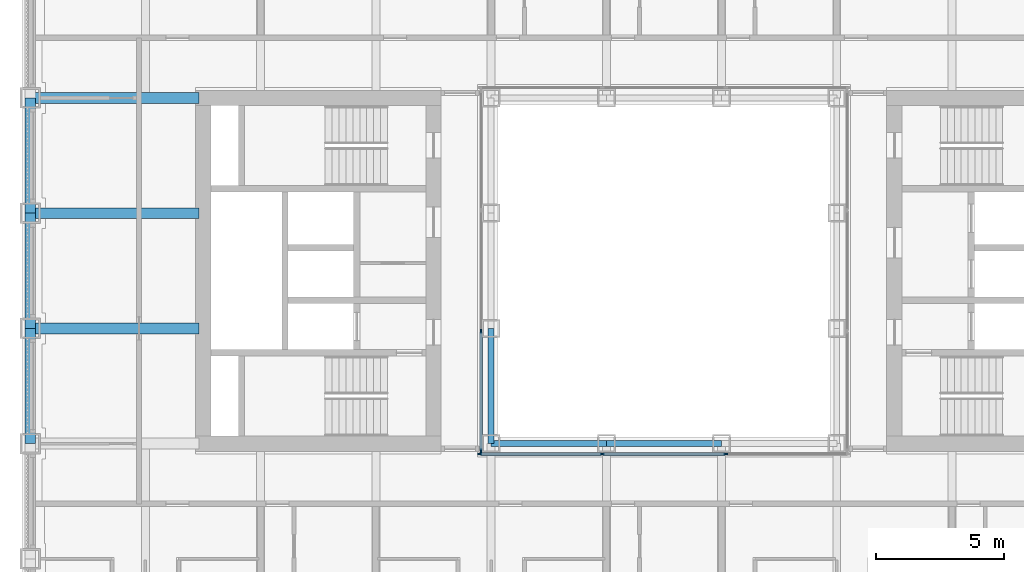
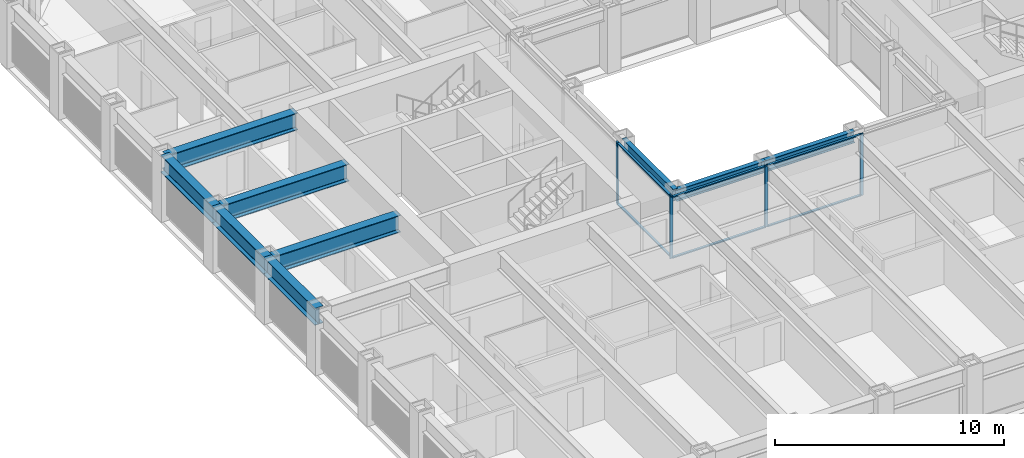
# One storey, part 3 of 21: 11 members, 9 beams, 2 elements without a shape of their own.
"""IFC4 building model written with IfcOpenShell, lengths in metres."""

from ifc_helpers import new_model, si_unit, direction, frame, origin, origin_2d, place, context, subcontext, project, spatial, rectangle, i_section, extrude, material, material_profile, profile_set, type_object, element, aggregate, save


model = new_model("IFC4")

# Units and contexts
model_context = context("Model", 3, precision=1e-05, world=origin(), true_north=direction((0.0, 1.0)))
body_context = subcontext(model_context, "Body", "Model", "MODEL_VIEW")
ifc_project = project(units=[si_unit("LENGTHUNIT", "METRE"), si_unit("AREAUNIT", "SQUARE_METRE"), si_unit("VOLUMEUNIT", "CUBIC_METRE"), si_unit("PLANEANGLEUNIT", "RADIAN"), si_unit("MASSUNIT", "GRAM", prefix="KILO")], contexts=[model_context])

# Site, building, storey
site_placement = place(None, origin())
site = spatial("IfcSite", under=ifc_project, at=site_placement, CompositionType="ELEMENT")
building_placement = place(site_placement, origin())
building = spatial("IfcBuilding", under=site, at=building_placement, Name="Msasa Ring Tower", CompositionType="ELEMENT")
storey_placement = place(building_placement, frame((0.0, 0.0, 40.5)))
storey = spatial("IfcBuildingStorey", under=building, at=storey_placement, Name="L09", CompositionType="ELEMENT", Elevation=40.5)

# Curtain wall, members
ifc_material_1 = material(Name="Aluminium curtain wall with clear glass", Category="aluminium")
curtain_wall_type = type_object("IfcCurtainWallType", Name="CW-W LIGHT WELL CURTAIN WALL", PredefinedType="NOTDEFINED", material=ifc_material_1)
curtain_wall_1_placement = place(storey_placement, origin())
curtain_wall_1 = element("IfcCurtainWall", 1, at=curtain_wall_1_placement, inside=storey, type_object=curtain_wall_type, Name="Light well curtain wall S L09", PredefinedType="NOTDEFINED")
ifc_material_2 = material(Name="Aluminium mullion", Category="aluminium")
ifc_material_profile_1 = material_profile(ifc_material_2, rectangle(XDim=0.06005859375, YDim=0.159912109375, at=origin_2d()), Name="AL 60x160")
ifc_profile_set_1 = profile_set([ifc_material_profile_1], Name="Aluminium mullion")
member_type_1 = type_object("IfcMemberType", Name="CW-W MULLION 60x160", PredefinedType="MULLION", material=ifc_profile_set_1)
member_1_placement = place(storey_placement, frame((-7.199951171875, -7.14990234375, 0.0), z_axis=(0.0, 0.0, 1.0), x_axis=(0.0, 1.0, 0.0)))
member_1 = element("IfcMember", 2, at=member_1_placement, type_object=member_type_1, Name="CW-W mullion 1", PredefinedType="MULLION", context=body_context, shape_type="SweptSolid", body=[
    extrude(rectangle(XDim=0.06005859375, YDim=0.159912109375, at=origin_2d()), origin(), (0.0, 0.0, 1.0), 3.300048828125),
])
member_2_placement = place(storey_placement, frame((-2.409912109375, -7.14990234375, 0.0), z_axis=(0.0, 0.0, 1.0), x_axis=(0.0, 1.0, 0.0)))
member_2 = element("IfcMember", 3, at=member_2_placement, type_object=member_type_1, Name="CW-W mullion 2", PredefinedType="MULLION", context=body_context, shape_type="SweptSolid", body=[
    extrude(rectangle(XDim=0.06005859375, YDim=0.159912109375, at=origin_2d()), origin(), (0.0, 0.0, 1.0), 3.300048828125),
])
member_3_placement = place(storey_placement, frame((2.409912109375, -7.14990234375, 0.0), z_axis=(0.0, 0.0, 1.0), x_axis=(0.0, 1.0, 0.0)))
member_3 = element("IfcMember", 4, at=member_3_placement, type_object=member_type_1, Name="CW-W mullion 3", PredefinedType="MULLION", context=body_context, shape_type="SweptSolid", body=[
    extrude(rectangle(XDim=0.06005859375, YDim=0.159912109375, at=origin_2d()), origin(), (0.0, 0.0, 1.0), 3.300048828125),
])

curtain_wall_2_placement = place(storey_placement, origin())
curtain_wall_2 = element("IfcCurtainWall", 5, at=curtain_wall_2_placement, inside=storey, type_object=curtain_wall_type, Name="Light well curtain wall W L09", PredefinedType="NOTDEFINED")
member_4_placement = place(storey_placement, frame((-7.14990234375, -7.0400390625, 0.0), z_axis=(0.0, 0.0, 1.0), x_axis=(-1.0, 0.0, 0.0)))
member_4 = element("IfcMember", 6, at=member_4_placement, type_object=member_type_1, Name="CW-W mullion 1", PredefinedType="MULLION", context=body_context, shape_type="SweptSolid", body=[
    extrude(rectangle(XDim=0.06005859375, YDim=0.159912109375, at=origin_2d()), origin(), (0.0, 0.0, 1.0), 3.300048828125),
])
member_5_placement = place(storey_placement, frame((-7.14990234375, -2.356689453125, 0.0), z_axis=(0.0, 0.0, 1.0), x_axis=(-1.0, 0.0, 0.0)))
member_5 = element("IfcMember", 7, at=member_5_placement, type_object=member_type_1, Name="CW-W mullion 2", PredefinedType="MULLION", context=body_context, shape_type="SweptSolid", body=[
    extrude(rectangle(XDim=0.06005859375, YDim=0.159912109375, at=origin_2d()), origin(), (0.0, 0.0, 1.0), 3.300048828125),
])

# Member
ifc_material_3 = material(Name="Aluminium transom", Category="aluminium")
ifc_material_profile_2 = material_profile(ifc_material_3, rectangle(XDim=0.1201171875, YDim=0.06005859375, at=origin_2d()), Name="AL 60x120")
ifc_profile_set_2 = profile_set([ifc_material_profile_2], Name="Aluminium transom")
member_type_2 = type_object("IfcMemberType", Name="CW-W TRANSOM 60x120", PredefinedType="USERDEFINED", material=ifc_profile_set_2)
member_6_placement = place(storey_placement, frame((-7.169921875, -7.14990234375, 0.030029296875), z_axis=(1.0, 0.0, 0.0), x_axis=(0.0, 1.0, 0.0)))
member_6 = element("IfcMember", 8, at=member_6_placement, type_object=member_type_2, Name="CW-W transom 1.1", ObjectType="TRANSOM", PredefinedType="USERDEFINED", context=body_context, shape_type="SweptSolid", body=[
    extrude(rectangle(XDim=0.1201171875, YDim=0.06005859375, at=origin_2d()), origin(), (0.0, 0.0, 1.0), 4.72998046875),
])

member_7_placement = place(storey_placement, frame((-7.169921875, -7.14990234375, 3.27001953125), z_axis=(1.0, 0.0, 0.0), x_axis=(0.0, 1.0, 0.0)))
member_7 = element("IfcMember", 9, at=member_7_placement, type_object=member_type_2, Name="CW-W transom 1.2", ObjectType="TRANSOM", PredefinedType="USERDEFINED", context=body_context, shape_type="SweptSolid", body=[
    extrude(rectangle(XDim=0.1201171875, YDim=0.06005859375, at=origin_2d()), origin(), (0.0, 0.0, 1.0), 4.72998046875),
])

member_8_placement = place(storey_placement, frame((-2.3798828125, -7.14990234375, 0.030029296875), z_axis=(1.0, 0.0, 0.0), x_axis=(0.0, 1.0, 0.0)))
member_8 = element("IfcMember", 10, at=member_8_placement, type_object=member_type_2, Name="CW-W transom 2.1", ObjectType="TRANSOM", PredefinedType="USERDEFINED", context=body_context, shape_type="SweptSolid", body=[
    extrude(rectangle(XDim=0.1201171875, YDim=0.06005859375, at=origin_2d()), origin(), (0.0, 0.0, 1.0), 4.759765625),
])

member_9_placement = place(storey_placement, frame((-2.3798828125, -7.14990234375, 3.27001953125), z_axis=(1.0, 0.0, 0.0), x_axis=(0.0, 1.0, 0.0)))
member_9 = element("IfcMember", 11, at=member_9_placement, type_object=member_type_2, Name="CW-W transom 2.2", ObjectType="TRANSOM", PredefinedType="USERDEFINED", context=body_context, shape_type="SweptSolid", body=[
    extrude(rectangle(XDim=0.1201171875, YDim=0.06005859375, at=origin_2d()), origin(), (0.0, 0.0, 1.0), 4.759765625),
])

aggregate(curtain_wall_1, [member_1, member_2, member_3, member_6, member_7, member_8, member_9])

member_10_placement = place(storey_placement, frame((-7.14990234375, -7.010009765625, 0.030029296875), z_axis=(0.0, 1.0, 0.0), x_axis=(-1.0, 0.0, 0.0)))
member_10 = element("IfcMember", 12, at=member_10_placement, type_object=member_type_2, Name="CW-W transom 1.1", ObjectType="TRANSOM", PredefinedType="USERDEFINED", context=body_context, shape_type="SweptSolid", body=[
    extrude(rectangle(XDim=0.1201171875, YDim=0.06005859375, at=origin_2d()), origin(), (0.0, 0.0, 1.0), 4.623291015625),
])

member_11_placement = place(storey_placement, frame((-7.14990234375, -7.010009765625, 3.27001953125), z_axis=(0.0, 1.0, 0.0), x_axis=(-1.0, 0.0, 0.0)))
member_11 = element("IfcMember", 13, at=member_11_placement, type_object=member_type_2, Name="CW-W transom 1.2", ObjectType="TRANSOM", PredefinedType="USERDEFINED", context=body_context, shape_type="SweptSolid", body=[
    extrude(rectangle(XDim=0.1201171875, YDim=0.06005859375, at=origin_2d()), origin(), (0.0, 0.0, 1.0), 4.623291015625),
])

aggregate(curtain_wall_2, [member_4, member_5, member_10, member_11])

# Beams
ifc_material_4 = material(Name="Steel S355", Category="steel")
ifc_material_profile_3 = material_profile(ifc_material_4, i_section(OverallWidth=0.42041015625, OverallDepth=0.9208984375, WebThickness=0.021484375, FlangeThickness=0.03662109375, FilletRadius=0.024169921875, at=origin_2d()), Name="UB 914x419x388")
ifc_profile_set_3 = profile_set([ifc_material_profile_3], Name="Steel S355")
beam_type_1 = type_object("IfcBeamType", Name="FB2 UB 914x419x388", PredefinedType="BEAM", material=ifc_profile_set_3)
for number, where, z_axis, x_axis, name in (
    (14, (-24.75, -2.25, 2.839599609375), (1.0, 0.0, 0.0), (0.0, 1.0, 0.0), "Floor beam W -2.25 under L10"),
    (15, (-24.75, 2.25, 2.839599609375), (1.0, 0.0, 0.0), (0.0, 1.0, 0.0), "Floor beam W +2.25 under L10"),
):
    element("IfcBeam", number, at=place(storey_placement, frame(where, z_axis=z_axis, x_axis=x_axis)), inside=storey, type_object=beam_type_1, Name=name, PredefinedType="BEAM", context=body_context, shape_type="SweptSolid", body=[
        extrude(i_section(OverallWidth=0.42041015625, OverallDepth=0.9208984375, WebThickness=0.021484375, FlangeThickness=0.03662109375, FilletRadius=0.024169921875, at=origin_2d()), origin(), (0.0, 0.0, 1.0), 6.60009765625),
    ])
ifc_material_5 = material(Name="Steel S355", Category="steel")
ifc_material_profile_4 = material_profile(ifc_material_5, i_section(OverallWidth=0.42041015625, OverallDepth=0.9208984375, WebThickness=0.021484375, FlangeThickness=0.03662109375, FilletRadius=0.024169921875, at=origin_2d()), Name="UB 914x419x388")
ifc_profile_set_4 = profile_set([ifc_material_profile_4], Name="Steel S355")
beam_type_2 = type_object("IfcBeamType", Name="GB1 UB 914x419x388", PredefinedType="BEAM", material=ifc_profile_set_4)
beam_placement = place(storey_placement, frame((-18.14990234375, 6.75, 2.839599609375), z_axis=(-1.0, 0.0, 0.0), x_axis=(0.0, -1.0, 0.0)))
element("IfcBeam", 16, at=beam_placement, inside=storey, type_object=beam_type_2, Name="Girder W +6.75 under L10", PredefinedType="BEAM", context=body_context, shape_type="SweptSolid", body=[
    extrude(i_section(OverallWidth=0.42041015625, OverallDepth=0.9208984375, WebThickness=0.021484375, FlangeThickness=0.03662109375, FilletRadius=0.024169921875, at=origin_2d()), origin(), (0.0, 0.0, 1.0), 6.60009765625),
])
ifc_material_6 = material(Name="Steel S355", Category="steel")
ifc_material_profile_5 = material_profile(ifc_material_6, i_section(OverallWidth=0.230224609375, OverallDepth=0.6171875, WebThickness=0.01318359375, FlangeThickness=0.022216796875, FilletRadius=0.0126953125, at=origin_2d()), Name="UB 610x229x140")
ifc_profile_set_5 = profile_set([ifc_material_profile_5], Name="Steel S355")
beam_type_3 = type_object("IfcBeamType", Name="RB1 UB 610x229x140", PredefinedType="BEAM", material=ifc_profile_set_5)
for number, where, z_axis, x_axis, name in (
    (17, (-6.75, -2.25, 2.991455078125), (0.0, -1.0, 0.0), (1.0, 0.0, 0.0), "Inner ring beam IR-6.75-2.25 under L10"),
    (18, (-6.75, -6.75, 2.991455078125), (1.0, 0.0, 0.0), (0.0, 1.0, 0.0), "Inner ring beam IR-6.75-6.75 under L10"),
    (19, (-2.25, -6.75, 2.991455078125), (1.0, 0.0, 0.0), (0.0, 1.0, 0.0), "Inner ring beam IR-2.25-6.75 under L10"),
):
    element("IfcBeam", number, at=place(storey_placement, frame(where, z_axis=z_axis, x_axis=x_axis)), inside=storey, type_object=beam_type_3, Name=name, PredefinedType="BEAM", context=body_context, shape_type="SweptSolid", body=[
        extrude(i_section(OverallWidth=0.230224609375, OverallDepth=0.6171875, WebThickness=0.01318359375, FlangeThickness=0.022216796875, FilletRadius=0.0126953125, at=origin_2d()), origin(), (0.0, 0.0, 1.0), 4.5),
    ])
ifc_material_7 = material(Name="Steel S355", Category="steel")
ifc_material_profile_6 = material_profile(ifc_material_7, i_section(OverallWidth=0.42041015625, OverallDepth=0.9208984375, WebThickness=0.021484375, FlangeThickness=0.03662109375, FilletRadius=0.024169921875, at=origin_2d()), Name="UB 914x419x388")
ifc_profile_set_6 = profile_set([ifc_material_profile_6], Name="Steel S355")
beam_type_4 = type_object("IfcBeamType", Name="SB1 UB 914x419x388", PredefinedType="SPANDREL", material=ifc_profile_set_6)
for number, where, z_axis, x_axis, name in (
    (20, (-24.75, -2.25, 2.839599609375), (0.0, -1.0, 0.0), (1.0, 0.0, 0.0), "Spandrel W-2.25 to W-6.75 under L10"),
    (21, (-24.75, 6.75, 2.839599609375), (0.0, -1.0, 0.0), (1.0, 0.0, 0.0), "Spandrel W+6.75 to W+2.25 under L10"),
    (22, (-24.75, 2.25, 2.839599609375), (0.0, -1.0, 0.0), (1.0, 0.0, 0.0), "Spandrel W+2.25 to W-2.25 under L10"),
):
    element("IfcBeam", number, at=place(storey_placement, frame(where, z_axis=z_axis, x_axis=x_axis)), inside=storey, type_object=beam_type_4, Name=name, PredefinedType="SPANDREL", context=body_context, shape_type="SweptSolid", body=[
        extrude(i_section(OverallWidth=0.42041015625, OverallDepth=0.9208984375, WebThickness=0.021484375, FlangeThickness=0.03662109375, FilletRadius=0.024169921875, at=origin_2d()), origin(), (0.0, 0.0, 1.0), 4.5),
    ])

save(model, "model.ifc")
